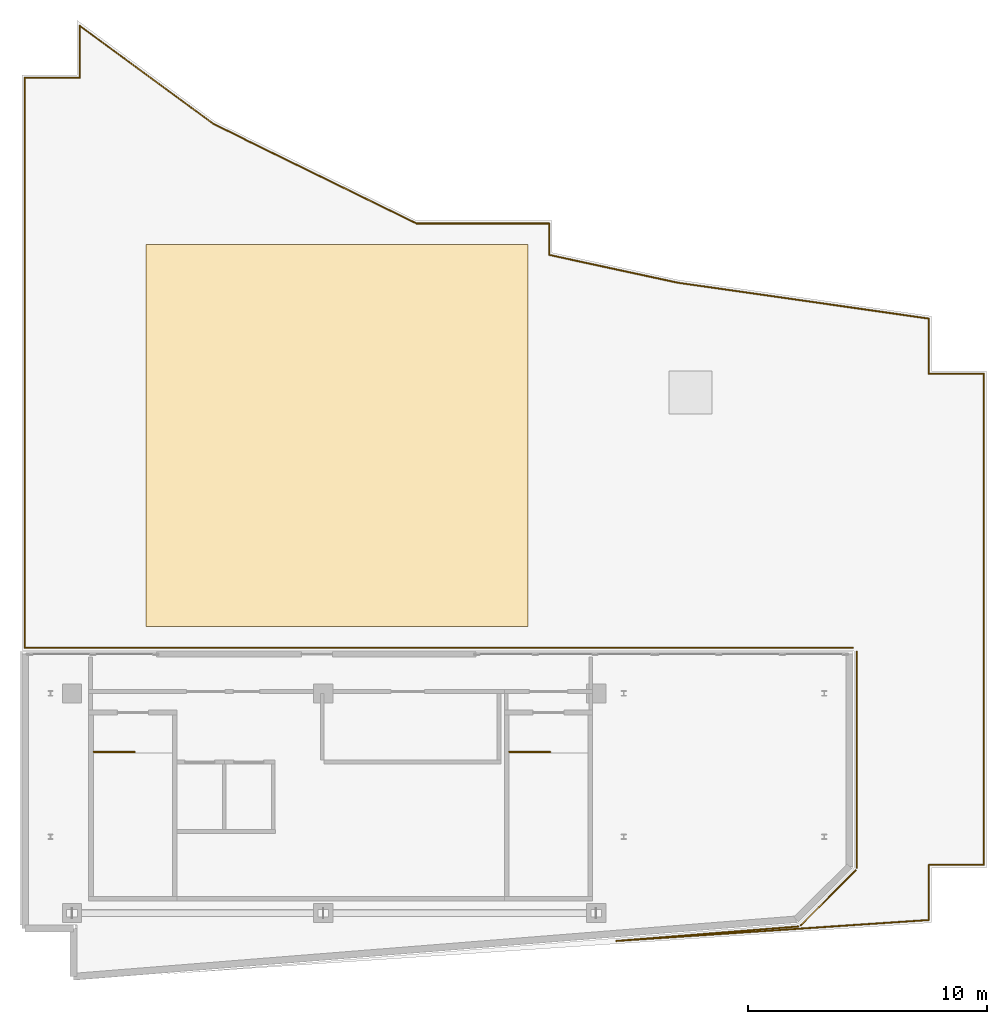
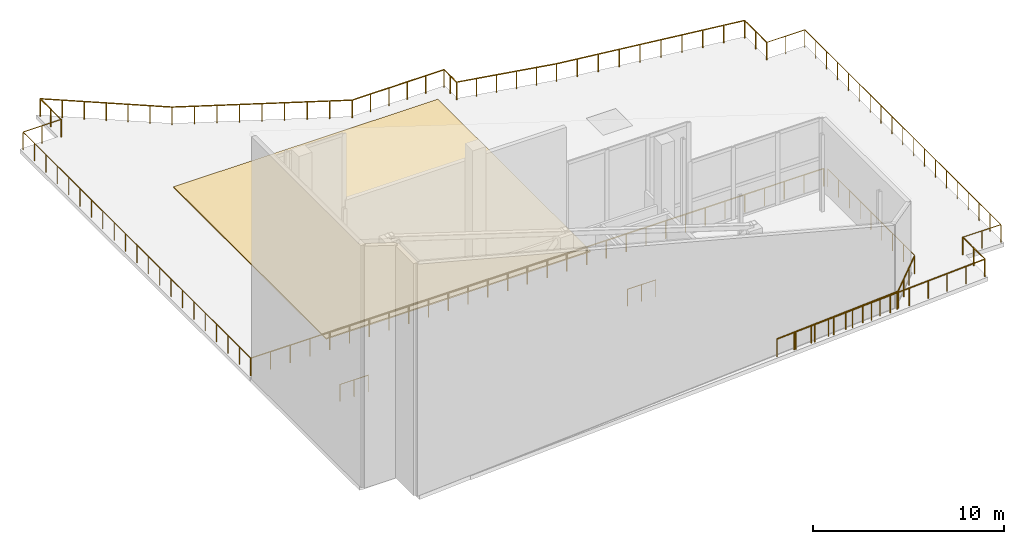
# One storey, part 9 of 9: 21 railings, 1 covering.
"""IFC4 building model written with IfcOpenShell, lengths in metres."""

from ifc_helpers import new_model, si_unit, direction, frame, origin, origin_2d, place, context, subcontext, project, spatial, rectangle, circle, extrude, material, layer, layer_set, type_object, element, save


model = new_model("IFC4")

# Units and contexts
model_context = context("Model", 3, precision=1e-05, world=origin(), true_north=direction((0.0, 1.0)))
body_context = subcontext(model_context, "Body", "Model", "MODEL_VIEW")
ifc_project = project(units=[si_unit("LENGTHUNIT", "METRE"), si_unit("AREAUNIT", "SQUARE_METRE"), si_unit("VOLUMEUNIT", "CUBIC_METRE"), si_unit("PLANEANGLEUNIT", "RADIAN"), si_unit("MASSUNIT", "GRAM", prefix="KILO")], contexts=[model_context])

# Site, building, storey
site_placement = place(None, origin())
site = spatial("IfcSite", under=ifc_project, at=site_placement, CompositionType="ELEMENT")
building_placement = place(site_placement, origin())
building = spatial("IfcBuilding", under=site, at=building_placement, Name="Varnakote Quay Hospital", CompositionType="ELEMENT")
storey_placement = place(building_placement, frame((0.0, 0.0, 309.199951171875)))
storey = spatial("IfcBuildingStorey", under=building, at=storey_placement, Name="RF", CompositionType="ELEMENT", Elevation=309.199951171875)

# Covering
ifc_material_1 = material(Name="Insulated waterproofing membrane")
ifc_layer = layer(ifc_material_1, 0.080078125)
ifc_layer_set = layer_set([ifc_layer], Name="Insulated waterproofing membrane")
covering_type = type_object("IfcCoveringType", Name="COV-ROOF-MEMBRANE-80", PredefinedType="ROOFING", material=ifc_layer_set)
covering_placement = place(storey_placement, frame((13.199951171875, 22.800048828125, 0.0), z_axis=(0.0, 0.0, 1.0), x_axis=(1.0, 0.0, 0.0)))
element("IfcCovering", 1, at=covering_placement, inside=storey, type_object=covering_type, Name="Helideck Non-Slip Deck Membrane Covering", PredefinedType="ROOFING", context=body_context, shape_type="SweptSolid", body=[
    extrude(rectangle(XDim=16.0, YDim=16.0, at=origin_2d()), origin(), (0.0, 0.0, 1.0), 0.080078125),
])

# Railings
ifc_material_2 = material(Name="Anodised aluminium 6063-T6 Bronze", Category="aluminium")
railing_type_1 = type_object("IfcRailingType", Name="RLG-EXT-GUARD-1150", PredefinedType="GUARDRAIL", material=ifc_material_2)
railing_1_placement = place(storey_placement, frame((27.45068359375, 29.201904296875, 0.0)))
element("IfcRailing", 2, at=railing_1_placement, inside=storey, type_object=railing_type_1, Name="Helideck Perimeter Safety Guard", PredefinedType="GUARDRAIL", context=body_context, shape_type="SweptSolid", body=[
    extrude(circle(Radius=0.02392578125, at=origin_2d()), frame((0.0, 0.0, 1.1259765625), z_axis=(0.989924229399, -0.141598093377, 0.0), x_axis=(0.141598093377, 0.989924229399, 0.0)), (0.0, 0.0, 1.0), 10.636474609375),
    extrude(circle(Radius=0.02099609375, at=origin_2d()), origin(), (0.0, 0.0, 1.0), 1.101806640625),
    extrude(circle(Radius=0.02099609375, at=origin_2d()), frame((1.169921875, -0.167236328125, 0.0)), (0.0, 0.0, 1.0), 1.101806640625),
    extrude(circle(Radius=0.02099609375, at=origin_2d()), frame((2.33984375, -0.334716796875, 0.0)), (0.0, 0.0, 1.0), 1.101806640625),
    extrude(circle(Radius=0.02099609375, at=origin_2d()), frame((3.509765625, -0.501953125, 0.0)), (0.0, 0.0, 1.0), 1.101806640625),
    extrude(circle(Radius=0.02099609375, at=origin_2d()), frame((4.6796875, -0.66943359375, 0.0)), (0.0, 0.0, 1.0), 1.101806640625),
    extrude(circle(Radius=0.02099609375, at=origin_2d()), frame((5.849609375, -0.836669921875, 0.0)), (0.0, 0.0, 1.0), 1.101806640625),
    extrude(circle(Radius=0.02099609375, at=origin_2d()), frame((7.01953125, -1.004150390625, 0.0)), (0.0, 0.0, 1.0), 1.101806640625),
    extrude(circle(Radius=0.02099609375, at=origin_2d()), frame((8.189453125, -1.17138671875, 0.0)), (0.0, 0.0, 1.0), 1.101806640625),
    extrude(circle(Radius=0.02099609375, at=origin_2d()), frame((9.359375, -1.3388671875, 0.0)), (0.0, 0.0, 1.0), 1.101806640625),
    extrude(circle(Radius=0.02099609375, at=origin_2d()), frame((10.529296875, -1.506103515625, 0.0)), (0.0, 0.0, 1.0), 1.101806640625),
])
railing_2_placement = place(storey_placement, frame((37.97998046875, 27.69580078125, 0.0)))
element("IfcRailing", 3, at=railing_2_placement, inside=storey, type_object=railing_type_1, Name="Helideck Perimeter Safety Guard", PredefinedType="GUARDRAIL", context=body_context, shape_type="SweptSolid", body=[
    extrude(circle(Radius=0.02392578125, at=origin_2d()), frame((0.0, 0.0, 1.1259765625), z_axis=(0.0, -1.0, 0.0), x_axis=(1.0, 0.0, 0.0)), (0.0, 0.0, 1.0), 2.31591796875),
    extrude(circle(Radius=0.02099609375, at=origin_2d()), origin(), (0.0, 0.0, 1.0), 1.101806640625),
    extrude(circle(Radius=0.02099609375, at=origin_2d()), frame((0.0, -1.157958984375, 0.0)), (0.0, 0.0, 1.0), 1.101806640625),
    extrude(circle(Radius=0.02099609375, at=origin_2d()), frame((0.0, -2.31591796875, 0.0)), (0.0, 0.0, 1.0), 1.101806640625),
])
railing_3_placement = place(storey_placement, frame((37.97998046875, 25.3798828125, 0.0)))
element("IfcRailing", 4, at=railing_3_placement, inside=storey, type_object=railing_type_1, Name="Helideck Perimeter Safety Guard", PredefinedType="GUARDRAIL", context=body_context, shape_type="SweptSolid", body=[
    extrude(circle(Radius=0.02392578125, at=origin_2d()), frame((0.0, 0.0, 1.1259765625), z_axis=(1.0, 0.0, 0.0), x_axis=(0.0, 1.0, 0.0)), (0.0, 0.0, 1.0), 2.300048828125),
    extrude(circle(Radius=0.02099609375, at=origin_2d()), origin(), (0.0, 0.0, 1.0), 1.101806640625),
    extrude(circle(Radius=0.02099609375, at=origin_2d()), frame((1.14990234375, 0.0, 0.0)), (0.0, 0.0, 1.0), 1.101806640625),
    extrude(circle(Radius=0.02099609375, at=origin_2d()), frame((2.300048828125, 0.0, 0.0)), (0.0, 0.0, 1.0), 1.101806640625),
])
railing_4_placement = place(storey_placement, frame((40.280029296875, 25.3798828125, 0.0)))
element("IfcRailing", 5, at=railing_4_placement, inside=storey, type_object=railing_type_1, Name="Helideck Perimeter Safety Guard", PredefinedType="GUARDRAIL", context=body_context, shape_type="SweptSolid", body=[
    extrude(circle(Radius=0.02392578125, at=origin_2d()), frame((0.0, 0.0, 1.1259765625), z_axis=(0.0, -1.0, 0.0), x_axis=(1.0, 0.0, 0.0)), (0.0, 0.0, 1.0), 20.559814453125),
    extrude(circle(Radius=0.02099609375, at=origin_2d()), origin(), (0.0, 0.0, 1.0), 1.101806640625),
    extrude(circle(Radius=0.02099609375, at=origin_2d()), frame((0.0, -1.14208984375, 0.0)), (0.0, 0.0, 1.0), 1.101806640625),
    extrude(circle(Radius=0.02099609375, at=origin_2d()), frame((0.0, -2.284423828125, 0.0)), (0.0, 0.0, 1.0), 1.101806640625),
    extrude(circle(Radius=0.02099609375, at=origin_2d()), frame((0.0, -3.4267578125, 0.0)), (0.0, 0.0, 1.0), 1.101806640625),
    extrude(circle(Radius=0.02099609375, at=origin_2d()), frame((0.0, -4.56884765625, 0.0)), (0.0, 0.0, 1.0), 1.101806640625),
    extrude(circle(Radius=0.02099609375, at=origin_2d()), frame((0.0, -5.7109375, 0.0)), (0.0, 0.0, 1.0), 1.101806640625),
    extrude(circle(Radius=0.02099609375, at=origin_2d()), frame((0.0, -6.853271484375, 0.0)), (0.0, 0.0, 1.0), 1.101806640625),
    extrude(circle(Radius=0.02099609375, at=origin_2d()), frame((0.0, -7.99560546875, 0.0)), (0.0, 0.0, 1.0), 1.101806640625),
    extrude(circle(Radius=0.02099609375, at=origin_2d()), frame((0.0, -9.1376953125, 0.0)), (0.0, 0.0, 1.0), 1.101806640625),
    extrude(circle(Radius=0.02099609375, at=origin_2d()), frame((0.0, -10.27978515625, 0.0)), (0.0, 0.0, 1.0), 1.101806640625),
    extrude(circle(Radius=0.02099609375, at=origin_2d()), frame((0.0, -11.422119140625, 0.0)), (0.0, 0.0, 1.0), 1.101806640625),
    extrude(circle(Radius=0.02099609375, at=origin_2d()), frame((0.0, -12.564453125, 0.0)), (0.0, 0.0, 1.0), 1.101806640625),
    extrude(circle(Radius=0.02099609375, at=origin_2d()), frame((0.0, -13.70654296875, 0.0)), (0.0, 0.0, 1.0), 1.101806640625),
    extrude(circle(Radius=0.02099609375, at=origin_2d()), frame((0.0, -14.8486328125, 0.0)), (0.0, 0.0, 1.0), 1.101806640625),
    extrude(circle(Radius=0.02099609375, at=origin_2d()), frame((0.0, -15.990966796875, 0.0)), (0.0, 0.0, 1.0), 1.101806640625),
    extrude(circle(Radius=0.02099609375, at=origin_2d()), frame((0.0, -17.13330078125, 0.0)), (0.0, 0.0, 1.0), 1.101806640625),
    extrude(circle(Radius=0.02099609375, at=origin_2d()), frame((0.0, -18.275390625, 0.0)), (0.0, 0.0, 1.0), 1.101806640625),
    extrude(circle(Radius=0.02099609375, at=origin_2d()), frame((0.0, -19.41748046875, 0.0)), (0.0, 0.0, 1.0), 1.101806640625),
    extrude(circle(Radius=0.02099609375, at=origin_2d()), frame((0.0, -20.559814453125, 0.0)), (0.0, 0.0, 1.0), 1.101806640625),
])
railing_5_placement = place(storey_placement, frame((40.280029296875, 4.820068359375, 0.0)))
element("IfcRailing", 6, at=railing_5_placement, inside=storey, type_object=railing_type_1, Name="Helideck Perimeter Safety Guard", PredefinedType="GUARDRAIL", context=body_context, shape_type="SweptSolid", body=[
    extrude(circle(Radius=0.02392578125, at=origin_2d()), frame((0.0, 0.0, 1.1259765625), z_axis=(-1.0, 0.0, 0.0), x_axis=(0.0, -1.0, 0.0)), (0.0, 0.0, 1.0), 2.300048828125),
    extrude(circle(Radius=0.02099609375, at=origin_2d()), origin(), (0.0, 0.0, 1.0), 1.101806640625),
    extrude(circle(Radius=0.02099609375, at=origin_2d()), frame((-1.14990234375, 0.0, 0.0)), (0.0, 0.0, 1.0), 1.101806640625),
    extrude(circle(Radius=0.02099609375, at=origin_2d()), frame((-2.300048828125, 0.0, 0.0)), (0.0, 0.0, 1.0), 1.101806640625),
])
railing_6_placement = place(storey_placement, frame((37.97998046875, 4.820068359375, 0.0)))
element("IfcRailing", 7, at=railing_6_placement, inside=storey, type_object=railing_type_1, Name="Helideck Perimeter Safety Guard", PredefinedType="GUARDRAIL", context=body_context, shape_type="SweptSolid", body=[
    extrude(circle(Radius=0.02392578125, at=origin_2d()), frame((0.0, 0.0, 1.1259765625), z_axis=(0.0, -1.0, 0.0), x_axis=(1.0, 0.0, 0.0)), (0.0, 0.0, 1.0), 2.307861328125),
    extrude(circle(Radius=0.02099609375, at=origin_2d()), origin(), (0.0, 0.0, 1.0), 1.101806640625),
    extrude(circle(Radius=0.02099609375, at=origin_2d()), frame((0.0, -1.15380859375, 0.0)), (0.0, 0.0, 1.0), 1.101806640625),
    extrude(circle(Radius=0.02099609375, at=origin_2d()), frame((0.0, -2.307861328125, 0.0)), (0.0, 0.0, 1.0), 1.101806640625),
])
railing_7_placement = place(storey_placement, frame((37.97998046875, 2.51220703125, 0.0)))
element("IfcRailing", 8, at=railing_7_placement, inside=storey, type_object=railing_type_1, Name="Helideck Perimeter Safety Guard", PredefinedType="GUARDRAIL", context=body_context, shape_type="SweptSolid", body=[
    extrude(circle(Radius=0.02392578125, at=origin_2d()), frame((0.0, 0.0, 1.1259765625), z_axis=(-0.997760307259, -0.066890726253, 0.0), x_axis=(0.066890726253, -0.997760307259, 0.0)), (0.0, 0.0, 1.0), 13.12109375),
    extrude(circle(Radius=0.02099609375, at=origin_2d()), origin(), (0.0, 0.0, 1.0), 1.101806640625),
    extrude(circle(Radius=0.02099609375, at=origin_2d()), frame((-1.190185546875, -0.079833984375, 0.0)), (0.0, 0.0, 1.0), 1.101806640625),
    extrude(circle(Radius=0.02099609375, at=origin_2d()), frame((-2.38037109375, -0.15966796875, 0.0)), (0.0, 0.0, 1.0), 1.101806640625),
    extrude(circle(Radius=0.02099609375, at=origin_2d()), frame((-3.570556640625, -0.2392578125, 0.0)), (0.0, 0.0, 1.0), 1.101806640625),
    extrude(circle(Radius=0.02099609375, at=origin_2d()), frame((-4.7607421875, -0.319091796875, 0.0)), (0.0, 0.0, 1.0), 1.101806640625),
    extrude(circle(Radius=0.02099609375, at=origin_2d()), frame((-5.950927734375, -0.39892578125, 0.0)), (0.0, 0.0, 1.0), 1.101806640625),
    extrude(circle(Radius=0.02099609375, at=origin_2d()), frame((-7.140869140625, -0.478759765625, 0.0)), (0.0, 0.0, 1.0), 1.101806640625),
    extrude(circle(Radius=0.02099609375, at=origin_2d()), frame((-8.3310546875, -0.55859375, 0.0)), (0.0, 0.0, 1.0), 1.101806640625),
    extrude(circle(Radius=0.02099609375, at=origin_2d()), frame((-9.521240234375, -0.638427734375, 0.0)), (0.0, 0.0, 1.0), 1.101806640625),
    extrude(circle(Radius=0.02099609375, at=origin_2d()), frame((-10.71142578125, -0.718017578125, 0.0)), (0.0, 0.0, 1.0), 1.101806640625),
    extrude(circle(Radius=0.02099609375, at=origin_2d()), frame((-11.901611328125, -0.7978515625, 0.0)), (0.0, 0.0, 1.0), 1.101806640625),
    extrude(circle(Radius=0.02099609375, at=origin_2d()), frame((-13.091796875, -0.877685546875, 0.0)), (0.0, 0.0, 1.0), 1.101806640625),
])
railing_8_placement = place(storey_placement, frame((24.88818359375, 1.634521484375, 0.0)))
element("IfcRailing", 9, at=railing_8_placement, inside=storey, type_object=railing_type_1, Name="Helideck Perimeter Safety Guard", PredefinedType="GUARDRAIL", context=body_context, shape_type="SweptSolid", body=[
    extrude(circle(Radius=0.02392578125, at=origin_2d()), frame((0.0, 0.0, 1.1259765625), z_axis=(0.996856438372, 0.079229043132, 0.0), x_axis=(-0.079229043132, 0.996856438372, 0.0)), (0.0, 0.0, 1.0), 7.6513671875),
    extrude(circle(Radius=0.02099609375, at=origin_2d()), origin(), (0.0, 0.0, 1.0), 1.101806640625),
    extrude(circle(Radius=0.02099609375, at=origin_2d()), frame((1.089599609375, 0.086669921875, 0.0)), (0.0, 0.0, 1.0), 1.101806640625),
    extrude(circle(Radius=0.02099609375, at=origin_2d()), frame((2.17919921875, 0.173095703125, 0.0)), (0.0, 0.0, 1.0), 1.101806640625),
    extrude(circle(Radius=0.02099609375, at=origin_2d()), frame((3.268798828125, 0.259765625, 0.0)), (0.0, 0.0, 1.0), 1.101806640625),
    extrude(circle(Radius=0.02099609375, at=origin_2d()), frame((4.3583984375, 0.346435546875, 0.0)), (0.0, 0.0, 1.0), 1.101806640625),
    extrude(circle(Radius=0.02099609375, at=origin_2d()), frame((5.447998046875, 0.43310546875, 0.0)), (0.0, 0.0, 1.0), 1.101806640625),
    extrude(circle(Radius=0.02099609375, at=origin_2d()), frame((6.53759765625, 0.51953125, 0.0)), (0.0, 0.0, 1.0), 1.101806640625),
    extrude(circle(Radius=0.02099609375, at=origin_2d()), frame((7.627197265625, 0.606201171875, 0.0)), (0.0, 0.0, 1.0), 1.101806640625),
])
railing_9_placement = place(storey_placement, frame((32.61083984375, 2.28466796875, 0.0)))
element("IfcRailing", 10, at=railing_9_placement, inside=storey, type_object=railing_type_1, Name="Helideck Perimeter Safety Guard", PredefinedType="GUARDRAIL", context=body_context, shape_type="SweptSolid", body=[
    extrude(circle(Radius=0.02392578125, at=origin_2d()), frame((0.0, 0.0, 1.1259765625), z_axis=(0.707144234868, 0.707069325521, 0.0), x_axis=(-0.707069325521, 0.707144234868, 0.0)), (0.0, 0.0, 1.0), 3.259033203125),
    extrude(circle(Radius=0.02099609375, at=origin_2d()), origin(), (0.0, 0.0, 1.0), 1.101806640625),
    extrude(circle(Radius=0.02099609375, at=origin_2d()), frame((0.768310546875, 0.76806640625, 0.0)), (0.0, 0.0, 1.0), 1.101806640625),
    extrude(circle(Radius=0.02099609375, at=origin_2d()), frame((1.536376953125, 1.536376953125, 0.0)), (0.0, 0.0, 1.0), 1.101806640625),
    extrude(circle(Radius=0.02099609375, at=origin_2d()), frame((2.3046875, 2.304443359375, 0.0)), (0.0, 0.0, 1.0), 1.101806640625),
])
railing_10_placement = place(storey_placement, frame((34.9599609375, 4.697021484375, 0.0)))
element("IfcRailing", 11, at=railing_10_placement, inside=storey, type_object=railing_type_1, Name="Helideck Perimeter Safety Guard", PredefinedType="GUARDRAIL", context=body_context, shape_type="SweptSolid", body=[
    extrude(circle(Radius=0.02392578125, at=origin_2d()), frame((0.0, 0.0, 1.1259765625), z_axis=(0.0, 1.0, 0.0), x_axis=(-1.0, 0.0, 0.0)), (0.0, 0.0, 1.0), 9.05615234375),
    extrude(circle(Radius=0.02099609375, at=origin_2d()), origin(), (0.0, 0.0, 1.0), 1.101806640625),
    extrude(circle(Radius=0.02099609375, at=origin_2d()), frame((0.0, 1.132080078125, 0.0)), (0.0, 0.0, 1.0), 1.101806640625),
    extrude(circle(Radius=0.02099609375, at=origin_2d()), frame((0.0, 2.26416015625, 0.0)), (0.0, 0.0, 1.0), 1.101806640625),
    extrude(circle(Radius=0.02099609375, at=origin_2d()), frame((0.0, 3.39599609375, 0.0)), (0.0, 0.0, 1.0), 1.101806640625),
    extrude(circle(Radius=0.02099609375, at=origin_2d()), frame((0.0, 4.528076171875, 0.0)), (0.0, 0.0, 1.0), 1.101806640625),
    extrude(circle(Radius=0.02099609375, at=origin_2d()), frame((0.0, 5.66015625, 0.0)), (0.0, 0.0, 1.0), 1.101806640625),
    extrude(circle(Radius=0.02099609375, at=origin_2d()), frame((0.0, 6.7919921875, 0.0)), (0.0, 0.0, 1.0), 1.101806640625),
    extrude(circle(Radius=0.02099609375, at=origin_2d()), frame((0.0, 7.924072265625, 0.0)), (0.0, 0.0, 1.0), 1.101806640625),
    extrude(circle(Radius=0.02099609375, at=origin_2d()), frame((0.0, 9.05615234375, 0.0)), (0.0, 0.0, 1.0), 1.101806640625),
])
railing_11_placement = place(storey_placement, frame((34.802978515625, 13.909912109375, 0.0)))
element("IfcRailing", 12, at=railing_11_placement, inside=storey, type_object=railing_type_1, Name="Helideck Perimeter Safety Guard", PredefinedType="GUARDRAIL", context=body_context, shape_type="SweptSolid", body=[
    extrude(circle(Radius=0.02392578125, at=origin_2d()), frame((0.0, 0.0, 1.1259765625), z_axis=(-1.0, 0.0, 0.0), x_axis=(0.0, -1.0, 0.0)), (0.0, 0.0, 1.0), 34.682861328125),
    extrude(circle(Radius=0.02099609375, at=origin_2d()), origin(), (0.0, 0.0, 1.0), 1.101806640625),
    extrude(circle(Radius=0.02099609375, at=origin_2d()), frame((-1.196044921875, 0.0, 0.0)), (0.0, 0.0, 1.0), 1.101806640625),
    extrude(circle(Radius=0.02099609375, at=origin_2d()), frame((-2.391845703125, 0.0, 0.0)), (0.0, 0.0, 1.0), 1.101806640625),
    extrude(circle(Radius=0.02099609375, at=origin_2d()), frame((-3.587890625, 0.0, 0.0)), (0.0, 0.0, 1.0), 1.101806640625),
    extrude(circle(Radius=0.02099609375, at=origin_2d()), frame((-4.783935546875, 0.0, 0.0)), (0.0, 0.0, 1.0), 1.101806640625),
    extrude(circle(Radius=0.02099609375, at=origin_2d()), frame((-5.979736328125, 0.0, 0.0)), (0.0, 0.0, 1.0), 1.101806640625),
    extrude(circle(Radius=0.02099609375, at=origin_2d()), frame((-7.17578125, 0.0, 0.0)), (0.0, 0.0, 1.0), 1.101806640625),
    extrude(circle(Radius=0.02099609375, at=origin_2d()), frame((-8.371826171875, 0.0, 0.0)), (0.0, 0.0, 1.0), 1.101806640625),
    extrude(circle(Radius=0.02099609375, at=origin_2d()), frame((-9.567626953125, 0.0, 0.0)), (0.0, 0.0, 1.0), 1.101806640625),
    extrude(circle(Radius=0.02099609375, at=origin_2d()), frame((-10.763671875, 0.0, 0.0)), (0.0, 0.0, 1.0), 1.101806640625),
    extrude(circle(Radius=0.02099609375, at=origin_2d()), frame((-11.959716796875, 0.0, 0.0)), (0.0, 0.0, 1.0), 1.101806640625),
    extrude(circle(Radius=0.02099609375, at=origin_2d()), frame((-13.155517578125, 0.0, 0.0)), (0.0, 0.0, 1.0), 1.101806640625),
    extrude(circle(Radius=0.02099609375, at=origin_2d()), frame((-14.3515625, 0.0, 0.0)), (0.0, 0.0, 1.0), 1.101806640625),
    extrude(circle(Radius=0.02099609375, at=origin_2d()), frame((-15.547607421875, 0.0, 0.0)), (0.0, 0.0, 1.0), 1.101806640625),
    extrude(circle(Radius=0.02099609375, at=origin_2d()), frame((-16.743408203125, 0.0, 0.0)), (0.0, 0.0, 1.0), 1.101806640625),
    extrude(circle(Radius=0.02099609375, at=origin_2d()), frame((-17.939453125, 0.0, 0.0)), (0.0, 0.0, 1.0), 1.101806640625),
    extrude(circle(Radius=0.02099609375, at=origin_2d()), frame((-19.13525390625, 0.0, 0.0)), (0.0, 0.0, 1.0), 1.101806640625),
    extrude(circle(Radius=0.02099609375, at=origin_2d()), frame((-20.331298828125, 0.0, 0.0)), (0.0, 0.0, 1.0), 1.101806640625),
    extrude(circle(Radius=0.02099609375, at=origin_2d()), frame((-21.52734375, 0.0, 0.0)), (0.0, 0.0, 1.0), 1.101806640625),
    extrude(circle(Radius=0.02099609375, at=origin_2d()), frame((-22.72314453125, 0.0, 0.0)), (0.0, 0.0, 1.0), 1.101806640625),
    extrude(circle(Radius=0.02099609375, at=origin_2d()), frame((-23.919189453125, 0.0, 0.0)), (0.0, 0.0, 1.0), 1.101806640625),
    extrude(circle(Radius=0.02099609375, at=origin_2d()), frame((-25.115234375, 0.0, 0.0)), (0.0, 0.0, 1.0), 1.101806640625),
    extrude(circle(Radius=0.02099609375, at=origin_2d()), frame((-26.31103515625, 0.0, 0.0)), (0.0, 0.0, 1.0), 1.101806640625),
    extrude(circle(Radius=0.02099609375, at=origin_2d()), frame((-27.507080078125, 0.0, 0.0)), (0.0, 0.0, 1.0), 1.101806640625),
    extrude(circle(Radius=0.02099609375, at=origin_2d()), frame((-28.703125, 0.0, 0.0)), (0.0, 0.0, 1.0), 1.101806640625),
    extrude(circle(Radius=0.02099609375, at=origin_2d()), frame((-29.89892578125, 0.0, 0.0)), (0.0, 0.0, 1.0), 1.101806640625),
    extrude(circle(Radius=0.02099609375, at=origin_2d()), frame((-31.094970703125, 0.0, 0.0)), (0.0, 0.0, 1.0), 1.101806640625),
    extrude(circle(Radius=0.02099609375, at=origin_2d()), frame((-32.291015625, 0.0, 0.0)), (0.0, 0.0, 1.0), 1.101806640625),
    extrude(circle(Radius=0.02099609375, at=origin_2d()), frame((-33.48681640625, 0.0, 0.0)), (0.0, 0.0, 1.0), 1.101806640625),
    extrude(circle(Radius=0.02099609375, at=origin_2d()), frame((-34.682861328125, 0.0, 0.0)), (0.0, 0.0, 1.0), 1.101806640625),
])
railing_12_placement = place(storey_placement, frame((0.1201171875, 13.909912109375, 0.0)))
element("IfcRailing", 13, at=railing_12_placement, inside=storey, type_object=railing_type_1, Name="Helideck Perimeter Safety Guard", PredefinedType="GUARDRAIL", context=body_context, shape_type="SweptSolid", body=[
    extrude(circle(Radius=0.02392578125, at=origin_2d()), frame((0.0, 0.0, 1.1259765625), z_axis=(0.0, 1.0, 0.0), x_axis=(-1.0, 0.0, 0.0)), (0.0, 0.0, 1.0), 23.8701171875),
    extrude(circle(Radius=0.02099609375, at=origin_2d()), origin(), (0.0, 0.0, 1.0), 1.101806640625),
    extrude(circle(Radius=0.02099609375, at=origin_2d()), frame((0.0, 1.193603515625, 0.0)), (0.0, 0.0, 1.0), 1.101806640625),
    extrude(circle(Radius=0.02099609375, at=origin_2d()), frame((0.0, 2.386962890625, 0.0)), (0.0, 0.0, 1.0), 1.101806640625),
    extrude(circle(Radius=0.02099609375, at=origin_2d()), frame((0.0, 3.58056640625, 0.0)), (0.0, 0.0, 1.0), 1.101806640625),
    extrude(circle(Radius=0.02099609375, at=origin_2d()), frame((0.0, 4.77392578125, 0.0)), (0.0, 0.0, 1.0), 1.101806640625),
    extrude(circle(Radius=0.02099609375, at=origin_2d()), frame((0.0, 5.967529296875, 0.0)), (0.0, 0.0, 1.0), 1.101806640625),
    extrude(circle(Radius=0.02099609375, at=origin_2d()), frame((0.0, 7.1611328125, 0.0)), (0.0, 0.0, 1.0), 1.101806640625),
    extrude(circle(Radius=0.02099609375, at=origin_2d()), frame((0.0, 8.3544921875, 0.0)), (0.0, 0.0, 1.0), 1.101806640625),
    extrude(circle(Radius=0.02099609375, at=origin_2d()), frame((0.0, 9.548095703125, 0.0)), (0.0, 0.0, 1.0), 1.101806640625),
    extrude(circle(Radius=0.02099609375, at=origin_2d()), frame((0.0, 10.741455078125, 0.0)), (0.0, 0.0, 1.0), 1.101806640625),
    extrude(circle(Radius=0.02099609375, at=origin_2d()), frame((0.0, 11.93505859375, 0.0)), (0.0, 0.0, 1.0), 1.101806640625),
    extrude(circle(Radius=0.02099609375, at=origin_2d()), frame((0.0, 13.128662109375, 0.0)), (0.0, 0.0, 1.0), 1.101806640625),
    extrude(circle(Radius=0.02099609375, at=origin_2d()), frame((0.0, 14.322021484375, 0.0)), (0.0, 0.0, 1.0), 1.101806640625),
    extrude(circle(Radius=0.02099609375, at=origin_2d()), frame((0.0, 15.515625, 0.0)), (0.0, 0.0, 1.0), 1.101806640625),
    extrude(circle(Radius=0.02099609375, at=origin_2d()), frame((0.0, 16.708984375, 0.0)), (0.0, 0.0, 1.0), 1.101806640625),
    extrude(circle(Radius=0.02099609375, at=origin_2d()), frame((0.0, 17.902587890625, 0.0)), (0.0, 0.0, 1.0), 1.101806640625),
    extrude(circle(Radius=0.02099609375, at=origin_2d()), frame((0.0, 19.09619140625, 0.0)), (0.0, 0.0, 1.0), 1.101806640625),
    extrude(circle(Radius=0.02099609375, at=origin_2d()), frame((0.0, 20.28955078125, 0.0)), (0.0, 0.0, 1.0), 1.101806640625),
    extrude(circle(Radius=0.02099609375, at=origin_2d()), frame((0.0, 21.483154296875, 0.0)), (0.0, 0.0, 1.0), 1.101806640625),
    extrude(circle(Radius=0.02099609375, at=origin_2d()), frame((0.0, 22.676513671875, 0.0)), (0.0, 0.0, 1.0), 1.101806640625),
    extrude(circle(Radius=0.02099609375, at=origin_2d()), frame((0.0, 23.8701171875, 0.0)), (0.0, 0.0, 1.0), 1.101806640625),
])
railing_13_placement = place(storey_placement, frame((0.1201171875, 37.780029296875, 0.0)))
element("IfcRailing", 14, at=railing_13_placement, inside=storey, type_object=railing_type_1, Name="Helideck Perimeter Safety Guard", PredefinedType="GUARDRAIL", context=body_context, shape_type="SweptSolid", body=[
    extrude(circle(Radius=0.02392578125, at=origin_2d()), frame((0.0, 0.0, 1.1259765625), z_axis=(1.0, 0.0, 0.0), x_axis=(0.0, 1.0, 0.0)), (0.0, 0.0, 1.0), 2.2998046875),
    extrude(circle(Radius=0.02099609375, at=origin_2d()), origin(), (0.0, 0.0, 1.0), 1.101806640625),
    extrude(circle(Radius=0.02099609375, at=origin_2d()), frame((1.14990234375, 0.0, 0.0)), (0.0, 0.0, 1.0), 1.101806640625),
    extrude(circle(Radius=0.02099609375, at=origin_2d()), frame((2.2998046875, 0.0, 0.0)), (0.0, 0.0, 1.0), 1.101806640625),
])
railing_14_placement = place(storey_placement, frame((2.419921875, 37.780029296875, 0.0)))
element("IfcRailing", 15, at=railing_14_placement, inside=storey, type_object=railing_type_1, Name="Helideck Perimeter Safety Guard", PredefinedType="GUARDRAIL", context=body_context, shape_type="SweptSolid", body=[
    extrude(circle(Radius=0.02392578125, at=origin_2d()), frame((0.0, 0.0, 1.1259765625), z_axis=(0.0, 1.0, 0.0), x_axis=(-1.0, 0.0, 0.0)), (0.0, 0.0, 1.0), 2.182861328125),
    extrude(circle(Radius=0.02099609375, at=origin_2d()), origin(), (0.0, 0.0, 1.0), 1.101806640625),
    extrude(circle(Radius=0.02099609375, at=origin_2d()), frame((0.0, 1.09130859375, 0.0)), (0.0, 0.0, 1.0), 1.101806640625),
    extrude(circle(Radius=0.02099609375, at=origin_2d()), frame((0.0, 2.182861328125, 0.0)), (0.0, 0.0, 1.0), 1.101806640625),
])
railing_15_placement = place(storey_placement, frame((2.419921875, 39.962890625, 0.0)))
element("IfcRailing", 16, at=railing_15_placement, inside=storey, type_object=railing_type_1, Name="Helideck Perimeter Safety Guard", PredefinedType="GUARDRAIL", context=body_context, shape_type="SweptSolid", body=[
    extrude(circle(Radius=0.02392578125, at=origin_2d()), frame((0.0, 0.0, 1.1259765625), z_axis=(0.805798986202, -0.592189153764, 0.0), x_axis=(0.592189153764, 0.805798986202, 0.0)), (0.0, 0.0, 1.0), 6.94677734375),
    extrude(circle(Radius=0.02099609375, at=origin_2d()), origin(), (0.0, 0.0, 1.0), 1.101806640625),
    extrude(circle(Radius=0.02099609375, at=origin_2d()), frame((0.932861328125, -0.685546875, 0.0)), (0.0, 0.0, 1.0), 1.101806640625),
    extrude(circle(Radius=0.02099609375, at=origin_2d()), frame((1.865966796875, -1.371337890625, 0.0)), (0.0, 0.0, 1.0), 1.101806640625),
    extrude(circle(Radius=0.02099609375, at=origin_2d()), frame((2.798828125, -2.056884765625, 0.0)), (0.0, 0.0, 1.0), 1.101806640625),
    extrude(circle(Radius=0.02099609375, at=origin_2d()), frame((3.731689453125, -2.742431640625, 0.0)), (0.0, 0.0, 1.0), 1.101806640625),
    extrude(circle(Radius=0.02099609375, at=origin_2d()), frame((4.664794921875, -3.42822265625, 0.0)), (0.0, 0.0, 1.0), 1.101806640625),
    extrude(circle(Radius=0.02099609375, at=origin_2d()), frame((5.59765625, -4.11376953125, 0.0)), (0.0, 0.0, 1.0), 1.101806640625),
])
railing_16_placement = place(storey_placement, frame((8.017578125, 35.84912109375, 0.0)))
element("IfcRailing", 17, at=railing_16_placement, inside=storey, type_object=railing_type_1, Name="Helideck Perimeter Safety Guard", PredefinedType="GUARDRAIL", context=body_context, shape_type="SweptSolid", body=[
    extrude(circle(Radius=0.02392578125, at=origin_2d()), frame((0.0, 0.0, 1.1259765625), z_axis=(0.897785369388, -0.440433230481, 0.0), x_axis=(0.440433230481, 0.897785369388, 0.0)), (0.0, 0.0, 1.0), 9.466064453125),
    extrude(circle(Radius=0.02099609375, at=origin_2d()), origin(), (0.0, 0.0, 1.0), 1.101806640625),
    extrude(circle(Radius=0.02099609375, at=origin_2d()), frame((1.062255859375, -0.521240234375, 0.0)), (0.0, 0.0, 1.0), 1.101806640625),
    extrude(circle(Radius=0.02099609375, at=origin_2d()), frame((2.12451171875, -1.042236328125, 0.0)), (0.0, 0.0, 1.0), 1.101806640625),
    extrude(circle(Radius=0.02099609375, at=origin_2d()), frame((3.18701171875, -1.5634765625, 0.0)), (0.0, 0.0, 1.0), 1.101806640625),
    extrude(circle(Radius=0.02099609375, at=origin_2d()), frame((4.249267578125, -2.08447265625, 0.0)), (0.0, 0.0, 1.0), 1.101806640625),
    extrude(circle(Radius=0.02099609375, at=origin_2d()), frame((5.3115234375, -2.605712890625, 0.0)), (0.0, 0.0, 1.0), 1.101806640625),
    extrude(circle(Radius=0.02099609375, at=origin_2d()), frame((6.3740234375, -3.126953125, 0.0)), (0.0, 0.0, 1.0), 1.101806640625),
    extrude(circle(Radius=0.02099609375, at=origin_2d()), frame((7.436279296875, -3.64794921875, 0.0)), (0.0, 0.0, 1.0), 1.101806640625),
    extrude(circle(Radius=0.02099609375, at=origin_2d()), frame((8.49853515625, -4.169189453125, 0.0)), (0.0, 0.0, 1.0), 1.101806640625),
])
railing_17_placement = place(storey_placement, frame((16.51611328125, 31.679931640625, 0.0)))
element("IfcRailing", 18, at=railing_17_placement, inside=storey, type_object=railing_type_1, Name="Helideck Perimeter Safety Guard", PredefinedType="GUARDRAIL", context=body_context, shape_type="SweptSolid", body=[
    extrude(circle(Radius=0.02392578125, at=origin_2d()), frame((0.0, 0.0, 1.1259765625), z_axis=(1.0, 0.0, 0.0), x_axis=(0.0, 1.0, 0.0)), (0.0, 0.0, 1.0), 5.56396484375),
    extrude(circle(Radius=0.02099609375, at=origin_2d()), origin(), (0.0, 0.0, 1.0), 1.101806640625),
    extrude(circle(Radius=0.02099609375, at=origin_2d()), frame((1.11279296875, 0.0, 0.0)), (0.0, 0.0, 1.0), 1.101806640625),
    extrude(circle(Radius=0.02099609375, at=origin_2d()), frame((2.2255859375, 0.0, 0.0)), (0.0, 0.0, 1.0), 1.101806640625),
    extrude(circle(Radius=0.02099609375, at=origin_2d()), frame((3.33837890625, 0.0, 0.0)), (0.0, 0.0, 1.0), 1.101806640625),
    extrude(circle(Radius=0.02099609375, at=origin_2d()), frame((4.451171875, 0.0, 0.0)), (0.0, 0.0, 1.0), 1.101806640625),
    extrude(circle(Radius=0.02099609375, at=origin_2d()), frame((5.56396484375, 0.0, 0.0)), (0.0, 0.0, 1.0), 1.101806640625),
])
railing_18_placement = place(storey_placement, frame((22.080078125, 31.679931640625, 0.0)))
element("IfcRailing", 19, at=railing_18_placement, inside=storey, type_object=railing_type_1, Name="Helideck Perimeter Safety Guard", PredefinedType="GUARDRAIL", context=body_context, shape_type="SweptSolid", body=[
    extrude(circle(Radius=0.02392578125, at=origin_2d()), frame((0.0, 0.0, 1.1259765625), z_axis=(0.0, -1.0, 0.0), x_axis=(1.0, 0.0, 0.0)), (0.0, 0.0, 1.0), 1.31640625),
    extrude(circle(Radius=0.02099609375, at=origin_2d()), origin(), (0.0, 0.0, 1.0), 1.101806640625),
    extrude(circle(Radius=0.02099609375, at=origin_2d()), frame((0.0, -0.658203125, 0.0)), (0.0, 0.0, 1.0), 1.101806640625),
    extrude(circle(Radius=0.02099609375, at=origin_2d()), frame((0.0, -1.31640625, 0.0)), (0.0, 0.0, 1.0), 1.101806640625),
])
railing_19_placement = place(storey_placement, frame((22.080078125, 30.363525390625, 0.0)))
element("IfcRailing", 20, at=railing_19_placement, inside=storey, type_object=railing_type_1, Name="Helideck Perimeter Safety Guard", PredefinedType="GUARDRAIL", context=body_context, shape_type="SweptSolid", body=[
    extrude(circle(Radius=0.02392578125, at=origin_2d()), frame((0.0, 0.0, 1.1259765625), z_axis=(0.977398783994, -0.211403919186, 0.0), x_axis=(0.211403919186, 0.977398783994, 0.0)), (0.0, 0.0, 1.0), 5.494873046875),
    extrude(circle(Radius=0.02099609375, at=origin_2d()), origin(), (0.0, 0.0, 1.0), 1.101806640625),
    extrude(circle(Radius=0.02099609375, at=origin_2d()), frame((1.07421875, -0.232421875, 0.0)), (0.0, 0.0, 1.0), 1.101806640625),
    extrude(circle(Radius=0.02099609375, at=origin_2d()), frame((2.148193359375, -0.464599609375, 0.0)), (0.0, 0.0, 1.0), 1.101806640625),
    extrude(circle(Radius=0.02099609375, at=origin_2d()), frame((3.222412109375, -0.697021484375, 0.0)), (0.0, 0.0, 1.0), 1.101806640625),
    extrude(circle(Radius=0.02099609375, at=origin_2d()), frame((4.29638671875, -0.92919921875, 0.0)), (0.0, 0.0, 1.0), 1.101806640625),
    extrude(circle(Radius=0.02099609375, at=origin_2d()), frame((5.37060546875, -1.16162109375, 0.0)), (0.0, 0.0, 1.0), 1.101806640625),
])
ifc_material_3 = material(Name="Brushed stainless steel balustrade", Category="steel")
railing_type_2 = type_object("IfcRailingType", Name="RLG-STAIR-GUARD-1150", PredefinedType="GUARDRAIL", material=ifc_material_3)
railing_20_placement = place(storey_placement, frame((3.0, 9.550048828125, 0.0)))
element("IfcRailing", 21, at=railing_20_placement, inside=storey, type_object=railing_type_2, Name="RF ST-01 top well guard 1", PredefinedType="GUARDRAIL", context=body_context, shape_type="SweptSolid", body=[
    extrude(circle(Radius=0.02392578125, at=origin_2d()), frame((0.0, 0.0, 1.076171875), z_axis=(1.0, 0.0, 0.0), x_axis=(0.0, 1.0, 0.0)), (0.0, 0.0, 1.0), 1.719970703125),
    extrude(circle(Radius=0.02099609375, at=origin_2d()), origin(), (0.0, 0.0, 1.0), 1.052001953125),
    extrude(circle(Radius=0.02099609375, at=origin_2d()), frame((0.85986328125, 0.0, 0.0)), (0.0, 0.0, 1.0), 1.052001953125),
    extrude(circle(Radius=0.02099609375, at=origin_2d()), frame((1.719970703125, 0.0, 0.0)), (0.0, 0.0, 1.0), 1.052001953125),
])
railing_21_placement = place(storey_placement, frame((20.39990234375, 9.550048828125, 0.0)))
element("IfcRailing", 22, at=railing_21_placement, inside=storey, type_object=railing_type_2, Name="RF ST-02 top well guard 1", PredefinedType="GUARDRAIL", context=body_context, shape_type="SweptSolid", body=[
    extrude(circle(Radius=0.02392578125, at=origin_2d()), frame((0.0, 0.0, 1.076171875), z_axis=(1.0, 0.0, 0.0), x_axis=(0.0, 1.0, 0.0)), (0.0, 0.0, 1.0), 1.72021484375),
    extrude(circle(Radius=0.02099609375, at=origin_2d()), origin(), (0.0, 0.0, 1.0), 1.052001953125),
    extrude(circle(Radius=0.02099609375, at=origin_2d()), frame((0.860107421875, 0.0, 0.0)), (0.0, 0.0, 1.0), 1.052001953125),
    extrude(circle(Radius=0.02099609375, at=origin_2d()), frame((1.72021484375, 0.0, 0.0)), (0.0, 0.0, 1.0), 1.052001953125),
])

save(model, "model.ifc")
